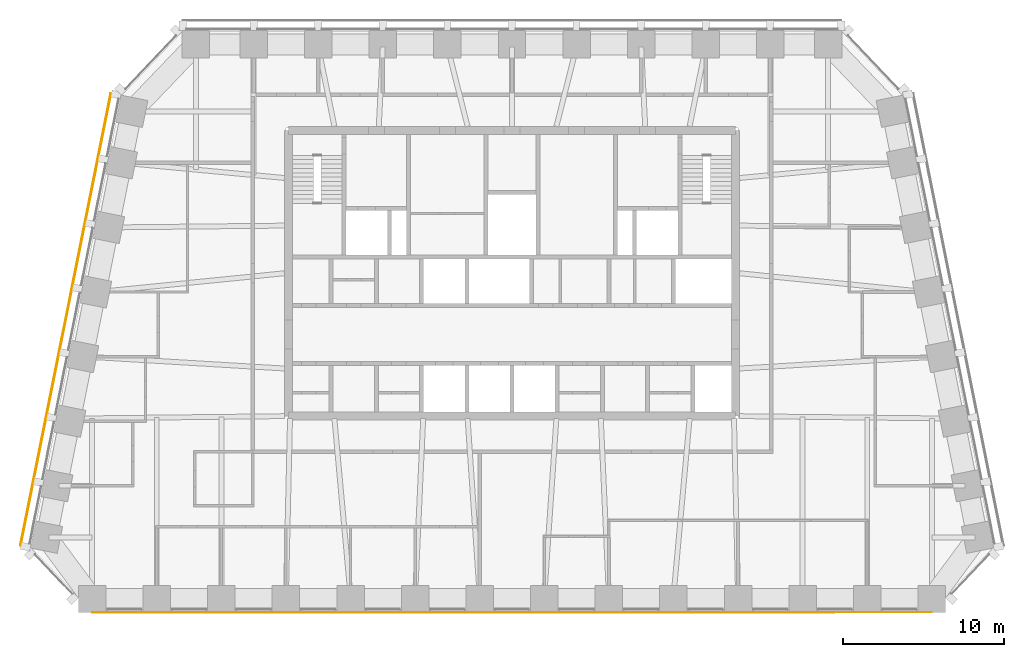
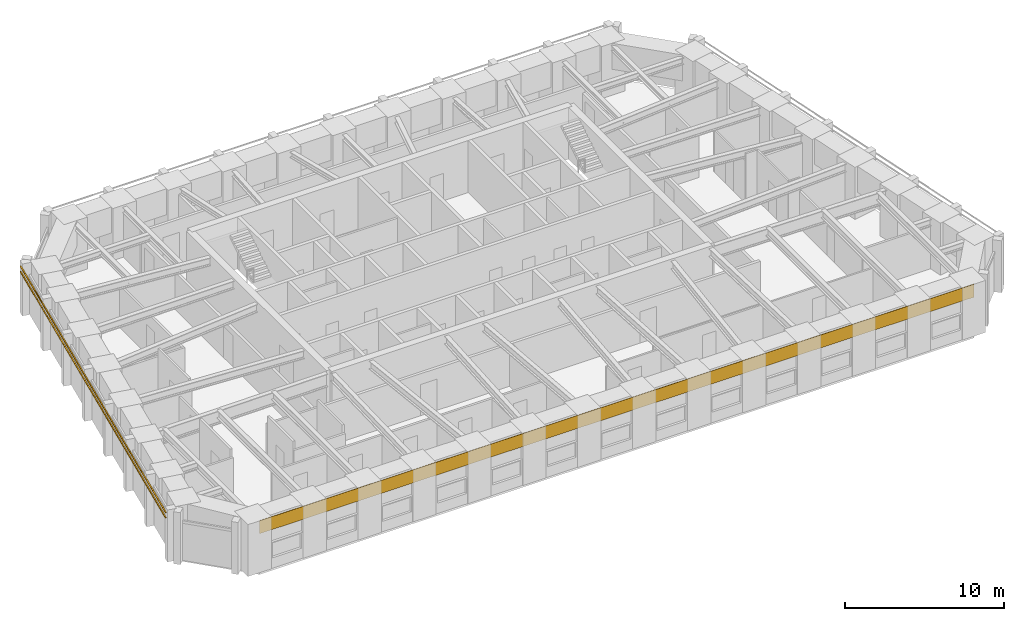
# One storey, part 9 of 11: 2 shading devices, 1 covering.
"""IFC4 building model written with IfcOpenShell, lengths in metres."""

from ifc_helpers import new_model, si_unit, direction, frame, origin, origin_2d, place, context, subcontext, project, spatial, rectangle, extrude, material, layer, layer_set, material_profile, profile_set, type_object, element, save


model = new_model("IFC4")

# Units and contexts
model_context = context("Model", 3, precision=1e-05, world=origin(), true_north=direction((0.0, 1.0)))
body_context = subcontext(model_context, "Body", "Model", "MODEL_VIEW")
ifc_project = project(units=[si_unit("LENGTHUNIT", "METRE"), si_unit("AREAUNIT", "SQUARE_METRE"), si_unit("VOLUMEUNIT", "CUBIC_METRE"), si_unit("PLANEANGLEUNIT", "RADIAN"), si_unit("MASSUNIT", "GRAM", prefix="KILO")], contexts=[model_context])

# Site, building, storey
site_placement = place(None, origin())
site = spatial("IfcSite", under=ifc_project, at=site_placement, CompositionType="ELEMENT")
building_placement = place(site_placement, origin())
building = spatial("IfcBuilding", under=site, at=building_placement, Name="Isbrekke Arena Tower", CompositionType="ELEMENT")
storey_placement = place(building_placement, frame((0.0, 0.0, 288.0)))
storey = spatial("IfcBuildingStorey", under=building, at=storey_placement, Name="L67", CompositionType="ELEMENT", Elevation=288.0)

# Shading devices
ifc_material_1 = material(Name="Terracotta", Category="masonry")
ifc_material_profile = material_profile(ifc_material_1, rectangle(XDim=0.06005859375, YDim=0.06005859375, at=origin_2d()), Name="BAGUETTE 60X60")
ifc_profile_set = profile_set([ifc_material_profile], Name="Terracotta")
shading_device_type = type_object("IfcShadingDeviceType", Name="BG1 TERRACOTTA BAGUETTE 60 x 60", PredefinedType="USERDEFINED", material=ifc_profile_set)
for number, where, z_axis, x_axis, name in (
    (1, (-24.84228515625, 26.12841796875, 3.280029296875), (-0.196119423591, -0.980580017995, 0.0), (0.980580017995, -0.196119423591, 0.0), "BG1 terracotta baguette W1 L67"),
    (2, (-24.84228515625, 26.12841796875, 3.679931640625), (-0.196119423591, -0.980580017995, 0.0), (0.980580017995, -0.196119423591, 0.0), "BG1 terracotta baguette W2 L67"),
):
    element("IfcShadingDevice", number, at=place(storey_placement, frame(where, z_axis=z_axis, x_axis=x_axis)), inside=storey, type_object=shading_device_type, Name=name, ObjectType="TERRACOTTA BAGUETTE", PredefinedType="USERDEFINED", context=body_context, shape_type="SweptSolid", body=[
        extrude(rectangle(XDim=0.06005859375, YDim=0.06005859375, at=origin_2d()), origin(), (0.0, 0.0, 1.0), 28.554443359375),
    ])

# Covering
ifc_material_2 = material(Name="Pre-patinated copper sheet", Category="metal")
ifc_layer = layer(ifc_material_2, 0.02001953125)
ifc_layer_set = layer_set([ifc_layer], Name="CL1 COPPER CLADDING")
covering_type = type_object("IfcCoveringType", Name="CL1 COPPER CLADDING", PredefinedType="CLADDING", material=ifc_layer_set)
covering_placement = place(storey_placement, frame((0.0, -6.010009765625, 3.0), z_axis=(0.0, 0.0, 1.0), x_axis=(1.0, 0.0, 0.0)))
element("IfcCovering", 3, at=covering_placement, inside=storey, type_object=covering_type, Name="CL1 copper cladding L67", PredefinedType="CLADDING", context=body_context, shape_type="SweptSolid", body=[
    extrude(rectangle(XDim=52.0, YDim=0.02001953125, at=origin_2d()), origin(), (0.0, 0.0, 1.0), 1.0),
])

save(model, "model.ifc")
